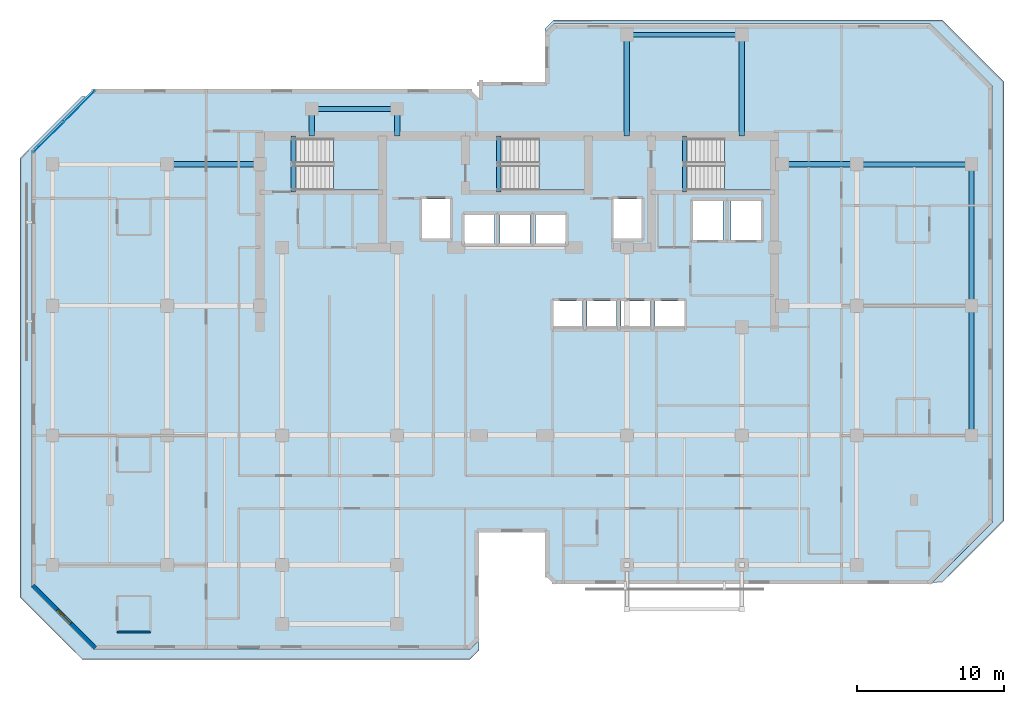
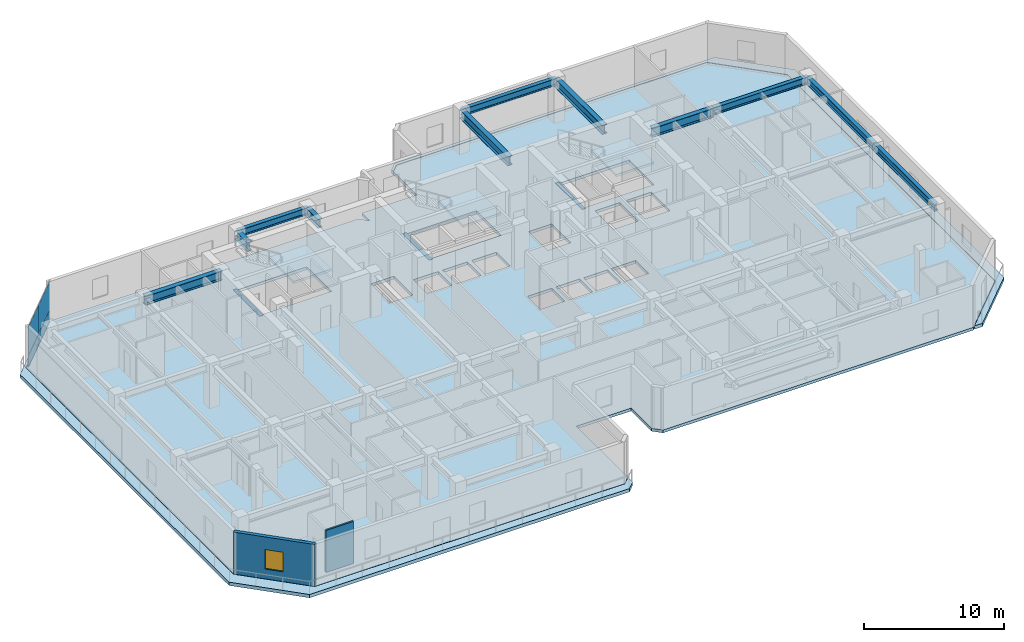
# One storey, part 3 of 10: 14 beams, 6 slabs, 4 plates, 2 walls, 1 window, 1 opening, 4 elements without a shape of their own.
"""IFC4 building model written with IfcOpenShell, lengths in metres."""

import ifcopenshell
import ifcopenshell.guid

model = None  # the IFC model being written
_history = None  # IfcOwnerHistory: only IFC2X3 demands one
_inside = {}  # id of a spatial element -> (the spatial element, [elements in it])
_under = {}  # id of a project, library or spatial element -> (it, [spatial elements below it])
_declared = {}  # id of a project -> (the project, [libraries it declares])
_typed = {}  # id of a type object -> (the type object, [elements of that type])
_made_of = {}  # id of a material, layer set ... -> (it, [elements and type objects made of it])


def new_model(schema):
    """Start an empty IFC model of exactly this schema.

    Asked for "IFC4X3", IfcOpenShell would pick the latest addendum, in which some entities
    have other attributes; the version numbers below select the first issue.
    IFC2X3 requires an IfcOwnerHistory on every rooted entity: one is made here for all.
    """
    global model, _history
    if schema == "IFC4X3":
        model = ifcopenshell.file(schema_version=(4, 3, 0, 0))
    else:
        model = ifcopenshell.file(schema=schema)
    _inside.clear()
    _under.clear()
    _declared.clear()
    _typed.clear()
    _made_of.clear()
    _history = None
    if model.schema == "IFC2X3":
        org = make("IfcOrganization", Name="unknown")
        user = make(
            "IfcPersonAndOrganization",
            ThePerson=make("IfcPerson", FamilyName="unknown"),
            TheOrganization=org,
        )
        app = make(
            "IfcApplication",
            ApplicationDeveloper=org,
            Version="unknown",
            ApplicationFullName="unknown",
            ApplicationIdentifier="unknown",
        )
        _history = make(
            "IfcOwnerHistory",
            OwningUser=user,
            OwningApplication=app,
            ChangeAction="ADDED",
            CreationDate=0,
        )
    return model


def make(cls, **values):
    """One entity of the class cls with the attributes given. An attribute that is None is left unset."""
    return model.create_entity(
        cls, **{name: value for name, value in values.items() if value is not None}
    )


def rooted(cls, **values):
    """An entity with a GlobalId (a new one), such as an element, a storey or a relation."""
    return make(cls, GlobalId=ifcopenshell.guid.new(), OwnerHistory=_history, **values)


def si_unit(unit_type, name, prefix=None):
    """IfcSIUnit, for example si_unit("LENGTHUNIT", "METRE", prefix="MILLI")."""
    return make("IfcSIUnit", UnitType=unit_type, Prefix=prefix, Name=name)


def assignment(units):
    """IfcUnitAssignment: the units of a project."""
    return None if units is None else make("IfcUnitAssignment", Units=units)


def point(xyz):
    """IfcCartesianPoint."""
    return None if xyz is None else make("IfcCartesianPoint", Coordinates=xyz)


def direction(xyz):
    """IfcDirection."""
    return None if xyz is None else make("IfcDirection", DirectionRatios=xyz)


def frame(location, z_axis=None, x_axis=None):
    """IfcAxis2Placement3D, a coordinate frame: its origin and axes. An axis left out is left unset."""
    return make(
        "IfcAxis2Placement3D",
        Location=point(location),
        Axis=direction(z_axis),
        RefDirection=direction(x_axis),
    )


def frame_2d(location, x_axis=None):
    """IfcAxis2Placement2D, a coordinate frame in the plane: its origin and x axis."""
    return make(
        "IfcAxis2Placement2D", Location=point(location), RefDirection=direction(x_axis)
    )


def origin():
    """The frame at (0, 0, 0) with its axes left unset."""
    return frame((0.0, 0.0, 0.0))


def origin_2d():
    """The frame at (0, 0) in the plane with its x axis left unset."""
    return frame_2d((0.0, 0.0))


def place(relative_to, where):
    """IfcLocalPlacement: puts the frame where relative to a parent placement (None: the world)."""
    return make(
        "IfcLocalPlacement", PlacementRelTo=relative_to, RelativePlacement=where
    )


def context(
    kind, dimensions, precision=None, world=None, true_north=None, identifier=None
):
    """IfcGeometricRepresentationContext, for example the 3D "Model" context."""
    return make(
        "IfcGeometricRepresentationContext",
        ContextIdentifier=identifier,
        ContextType=kind,
        CoordinateSpaceDimension=dimensions,
        Precision=precision,
        WorldCoordinateSystem=world,
        TrueNorth=true_north,
    )


def subcontext(parent, identifier, kind, view, scale=None):
    """IfcGeometricRepresentationSubContext, for example "Body" below "Model"."""
    return make(
        "IfcGeometricRepresentationSubContext",
        ContextIdentifier=identifier,
        ContextType=kind,
        ParentContext=parent,
        TargetScale=scale,
        TargetView=view,
    )


def project(units=None, contexts=None):
    """IfcProject with its units and contexts."""
    return rooted(
        "IfcProject",
        Name="project",
        RepresentationContexts=contexts,
        UnitsInContext=assignment(units),
    )


def spatial(cls, under=None, at=None, **own):
    """A site, building, storey or space (cls), placed at a placement, below another one or the project."""
    s = rooted(cls, ObjectPlacement=at, **own)
    if under is not None:
        _under.setdefault(under.id(), (under, []))[1].append(s)
    return s


def polyline(points):
    """IfcPolyline through the points."""
    return make("IfcPolyline", Points=[point(p) for p in points])


def profile(cls, at=None, kind="AREA", **sizes):
    """A parametric profile (cls). Its sizes go by their IFC names, for example OverallWidth=200.0."""
    return make(cls, ProfileType=kind, Position=at, **sizes)


def rectangle(**sizes):
    """IfcRectangleProfileDef."""
    return profile("IfcRectangleProfileDef", **sizes)


def i_section(**sizes):
    """IfcIShapeProfileDef."""
    return profile("IfcIShapeProfileDef", **sizes)


def outline(outer, holes=None, kind="AREA"):
    """IfcArbitraryClosedProfileDef: a profile drawn as a closed curve; with holes, ...WithVoids."""
    if holes is None:
        return make("IfcArbitraryClosedProfileDef", ProfileType=kind, OuterCurve=outer)
    return make(
        "IfcArbitraryProfileDefWithVoids",
        ProfileType=kind,
        OuterCurve=outer,
        InnerCurves=holes,
    )


def extrude(swept, where, along, depth):
    """IfcExtrudedAreaSolid: the profile swept, set in the frame where, extruded along a direction by depth."""
    return make(
        "IfcExtrudedAreaSolid",
        SweptArea=swept,
        Position=where,
        ExtrudedDirection=direction(along),
        Depth=depth,
    )


def shape(context_of_items, identifier, shape_type, items):
    """IfcShapeRepresentation: the items that make up one representation, for example the "Body"."""
    return make(
        "IfcShapeRepresentation",
        ContextOfItems=context_of_items,
        RepresentationIdentifier=identifier,
        RepresentationType=shape_type,
        Items=items,
    )


def material(Name=None, Category=None):
    """IfcMaterial."""
    return make("IfcMaterial", Name=Name, Category=Category)


def layer(
    of_material, thickness, ventilated=None, Name=None, Category=None, Priority=None
):
    """IfcMaterialLayer: one layer of a wall or slab, of a material (None: an air gap)."""
    return make(
        "IfcMaterialLayer",
        Material=of_material,
        LayerThickness=thickness,
        IsVentilated=ventilated,
        Name=Name,
        Category=Category,
        Priority=Priority,
    )


def layer_set(layers, Name=None):
    """IfcMaterialLayerSet."""
    return make("IfcMaterialLayerSet", MaterialLayers=layers, LayerSetName=Name)


def material_profile(
    of_material, cross_section, Name=None, Category=None, Priority=None
):
    """IfcMaterialProfile: a cross section and its material."""
    return make(
        "IfcMaterialProfile",
        Name=Name,
        Material=of_material,
        Profile=cross_section,
        Priority=Priority,
        Category=Category,
    )


def profile_set(profiles, Name=None, composite=None):
    """IfcMaterialProfileSet."""
    return make(
        "IfcMaterialProfileSet",
        Name=Name,
        MaterialProfiles=profiles,
        CompositeProfile=composite,
    )


def made_of(thing, what):
    """Note that an element or type object is made of a material, layer set ...; save() writes the relation."""
    if what is not None:
        _made_of.setdefault(what.id(), (what, []))[1].append(thing)
    return thing


def type_object(cls, material=None, **own):
    """A type object (cls), such as IfcWallType, which elements share."""
    return made_of(rooted(cls, **own), material)


def element(
    cls,
    number,
    at=None,
    inside=None,
    cuts=None,
    type_object=None,
    material=None,
    context=None,
    identifier="Body",
    shape_type=None,
    held_by="IfcProductDefinitionShape",
    body=None,
    shapes=None,
    **own,
):
    """One element of the class cls, such as IfcWall. Its Tag is "e" and its number.

    at: its placement. inside: the storey or other place that contains it. cuts: it is an
    opening in that element (IfcRelVoidsElement). A single representation is given by context,
    identifier, shape_type and body (its items); several are given by shapes. held_by: the class
    of the entity that holds the representations. save() writes the other relations.
    """
    e = rooted(cls, Tag="e%d" % number, ObjectPlacement=at, **own)
    if body is not None:
        shapes = [shape(context, identifier, shape_type, body)]
    if shapes is not None:
        e.Representation = make(held_by, Representations=shapes)
    if inside is not None:
        _inside.setdefault(inside.id(), (inside, []))[1].append(e)
    if cuts is not None:
        rooted(
            "IfcRelVoidsElement", RelatingBuildingElement=cuts, RelatedOpeningElement=e
        )
    if type_object is not None:
        _typed.setdefault(type_object.id(), (type_object, []))[1].append(e)
    return made_of(e, material)


def fill(opening, filler):
    """IfcRelFillsElement: the door or window that sits in an opening."""
    return rooted(
        "IfcRelFillsElement",
        RelatingOpeningElement=opening,
        RelatedBuildingElement=filler,
    )


def aggregate(whole, parts):
    """IfcRelAggregates: a whole, such as a stair, and the parts it consists of."""
    return rooted("IfcRelAggregates", RelatingObject=whole, RelatedObjects=parts)


def save(model, path):
    """Write the relations noted so far, then the file.

    IfcRelAggregates (storeys below a building ...), IfcRelContainedInSpatialStructure (elements
    in a storey), IfcRelDefinesByType, IfcRelAssociatesMaterial and IfcRelDeclares: one each for
    every whole, place, type object, material and project.
    """
    for whole, parts in _under.values():
        aggregate(whole, parts)
    for where, things in _inside.values():
        rooted(
            "IfcRelContainedInSpatialStructure",
            RelatedElements=things,
            RelatingStructure=where,
        )
    for kind, things in _typed.values():
        rooted("IfcRelDefinesByType", RelatedObjects=things, RelatingType=kind)
    for what, things in _made_of.values():
        rooted("IfcRelAssociatesMaterial", RelatedObjects=things, RelatingMaterial=what)
    for by, libraries in _declared.values():
        rooted("IfcRelDeclares", RelatingContext=by, RelatedDefinitions=libraries)
    model.write(path)


model = new_model("IFC4")

# Units and contexts
model_context = context("Model", 3, precision=1e-05, world=origin(), true_north=direction((0.0, 1.0)))
body_context = subcontext(model_context, "Body", "Model", "MODEL_VIEW")
ifc_project = project(units=[si_unit("LENGTHUNIT", "METRE"), si_unit("AREAUNIT", "SQUARE_METRE"), si_unit("VOLUMEUNIT", "CUBIC_METRE"), si_unit("PLANEANGLEUNIT", "RADIAN"), si_unit("MASSUNIT", "GRAM", prefix="KILO")], contexts=[model_context])

# Site, building, storey
site_placement = place(None, origin())
site = spatial("IfcSite", under=ifc_project, at=site_placement, CompositionType="ELEMENT")
building_placement = place(site_placement, origin())
building = spatial("IfcBuilding", under=site, at=building_placement, Name="Kestravale Grand Hotel", CompositionType="ELEMENT")
storey_placement = place(building_placement, frame((0.0, 0.0, 189.0)))
storey = spatial("IfcBuildingStorey", under=building, at=storey_placement, Name="L47", CompositionType="ELEMENT", Elevation=189.0)

# Beams
ifc_material_1 = material(Name="Concrete f'c 45 MPa", Category="concrete")
ifc_material_profile_1 = material_profile(ifc_material_1, rectangle(XDim=0.300048828125, YDim=0.39990234375, at=origin_2d()))
ifc_profile_set_1 = profile_set([ifc_material_profile_1], Name="Concrete f'c 45 MPa")
beam_type_1 = type_object("IfcBeamType", Name="B-FLR-LNT400", PredefinedType="LINTEL", material=ifc_profile_set_1)
for number, where, z_axis, x_axis, name in (
    (1, (24.159912109375, 36.52001953125, -0.199951171875), (0.0, 1.0, 0.0), (-1.0, 0.0, 0.0), "L47 ST1 flight bottom header beam"),
    (2, (38.110107421875, 36.52001953125, -0.199951171875), (0.0, 1.0, 0.0), (-1.0, 0.0, 0.0), "L47 ST2 flight bottom header beam"),
    (3, (50.7099609375, 36.52001953125, -0.199951171875), (0.0, 1.0, 0.0), (-1.0, 0.0, 0.0), "L47 ST3 flight bottom header beam"),
):
    element("IfcBeam", number, at=place(storey_placement, frame(where, z_axis=z_axis, x_axis=x_axis)), inside=storey, type_object=beam_type_1, Name=name, PredefinedType="LINTEL", context=body_context, shape_type="SweptSolid", body=[
        extrude(rectangle(XDim=0.300048828125, YDim=0.39990234375, at=origin_2d()), origin(), (0.0, 0.0, 1.0), 3.800048828125),
    ])
ifc_material_2 = material(Name="Steel ASTM A992 Grade 50", Category="steel")
ifc_material_profile_2 = material_profile(ifc_material_2, i_section(OverallWidth=0.324951171875, OverallDepth=0.612060546875, WebThickness=0.0126953125, FlangeThickness=0.01904296875, FilletRadius=0.018798828125, at=origin_2d()))
ifc_profile_set_2 = profile_set([ifc_material_profile_2], Name="Steel ASTM A992 Grade 50")
beam_type_2 = type_object("IfcBeamType", Name="B-FLR-W24A", PredefinedType="SPANDREL", material=ifc_profile_set_2)
for number, where, z_axis, x_axis, name in (
    (4, (62.39990234375, 38.39990234375, 3.343994140625), (1.0, 0.0, 0.0), (0.0, 1.0, 0.0), "L47 spandrel F:10-11"),
    (5, (46.800048828125, 47.199951171875, 3.343994140625), (1.0, 0.0, 0.0), (0.0, 1.0, 0.0), "L47 spandrel G:8-9"),
):
    element("IfcBeam", number, at=place(storey_placement, frame(where, z_axis=z_axis, x_axis=x_axis)), inside=storey, type_object=beam_type_2, Name=name, PredefinedType="SPANDREL", context=body_context, shape_type="SweptSolid", body=[
        extrude(i_section(OverallWidth=0.324951171875, OverallDepth=0.612060546875, WebThickness=0.0126953125, FlangeThickness=0.01904296875, FilletRadius=0.018798828125, at=origin_2d()), origin(), (0.0, 0.0, 1.0), 7.800048828125),
    ])
beam_1_placement = place(storey_placement, frame((25.39990234375, 42.14990234375, 3.343994140625), z_axis=(1.0, 0.0, 0.0), x_axis=(0.0, 1.0, 0.0)))
element("IfcBeam", 6, at=beam_1_placement, inside=storey, type_object=beam_type_2, Name="L47 perimeter tie spandrel FN:4-5", PredefinedType="SPANDREL", context=body_context, shape_type="SweptSolid", body=[
    extrude(i_section(OverallWidth=0.324951171875, OverallDepth=0.612060546875, WebThickness=0.0126953125, FlangeThickness=0.01904296875, FilletRadius=0.018798828125, at=origin_2d()), origin(), (0.0, 0.0, 1.0), 5.800048828125),
])
beam_2_placement = place(storey_placement, frame((70.199951171875, 20.0, 3.343994140625), z_axis=(0.0, 1.0, 0.0), x_axis=(-1.0, 0.0, 0.0)))
element("IfcBeam", 7, at=beam_2_placement, inside=storey, type_object=beam_type_2, Name="L47 spandrel 11:D-E", PredefinedType="SPANDREL", context=body_context, shape_type="SweptSolid", body=[
    extrude(i_section(OverallWidth=0.324951171875, OverallDepth=0.612060546875, WebThickness=0.0126953125, FlangeThickness=0.01904296875, FilletRadius=0.018798828125, at=origin_2d()), origin(), (0.0, 0.0, 1.0), 8.800048828125),
])
beam_3_placement = place(storey_placement, frame((70.199951171875, 28.800048828125, 3.343994140625), z_axis=(0.0, 1.0, 0.0), x_axis=(-1.0, 0.0, 0.0)))
element("IfcBeam", 8, at=beam_3_placement, inside=storey, type_object=beam_type_2, Name="L47 spandrel 11:E-F", PredefinedType="SPANDREL", context=body_context, shape_type="SweptSolid", body=[
    extrude(i_section(OverallWidth=0.324951171875, OverallDepth=0.612060546875, WebThickness=0.0126953125, FlangeThickness=0.01904296875, FilletRadius=0.018798828125, at=origin_2d()), origin(), (0.0, 0.0, 1.0), 9.599853515625),
])
ifc_material_3 = material(Name="Steel ASTM A992 Grade 50", Category="steel")
ifc_material_profile_3 = material_profile(ifc_material_3, i_section(OverallWidth=0.381103515625, OverallDepth=0.77197265625, WebThickness=0.0166015625, FlangeThickness=0.027099609375, FilletRadius=0.023681640625, at=origin_2d()))
ifc_profile_set_3 = profile_set([ifc_material_profile_3], Name="Steel ASTM A992 Grade 50")
beam_type_3 = type_object("IfcBeamType", Name="B-GRD-W30", PredefinedType="BEAM", material=ifc_profile_set_3)
beam_4_placement = place(storey_placement, frame((15.60009765625, 38.39990234375, 3.263916015625), z_axis=(1.0, 0.0, 0.0), x_axis=(0.0, 1.0, 0.0)))
element("IfcBeam", 9, at=beam_4_placement, inside=storey, type_object=beam_type_3, Name="L47 girder F:3-CW", PredefinedType="BEAM", context=body_context, shape_type="SweptSolid", body=[
    extrude(i_section(OverallWidth=0.381103515625, OverallDepth=0.77197265625, WebThickness=0.0166015625, FlangeThickness=0.027099609375, FilletRadius=0.023681640625, at=origin_2d()), origin(), (0.0, 0.0, 1.0), 6.2998046875),
])
beam_5_placement = place(storey_placement, frame((57.35009765625, 38.39990234375, 3.263916015625), z_axis=(1.0, 0.0, 0.0), x_axis=(0.0, 1.0, 0.0)))
element("IfcBeam", 10, at=beam_5_placement, inside=storey, type_object=beam_type_3, Name="L47 girder F:CE-10", PredefinedType="BEAM", context=body_context, shape_type="SweptSolid", body=[
    extrude(i_section(OverallWidth=0.381103515625, OverallDepth=0.77197265625, WebThickness=0.0166015625, FlangeThickness=0.027099609375, FilletRadius=0.023681640625, at=origin_2d()), origin(), (0.0, 0.0, 1.0), 5.0498046875),
])
for number, where, z_axis, x_axis, name in (
    (11, (25.39990234375, 40.320068359375, 3.263916015625), (0.0, 1.0, 0.0), (-1.0, 0.0, 0.0), "L47 north wing tie girder 4:CN-FN"),
    (12, (31.199951171875, 40.320068359375, 3.263916015625), (0.0, 1.0, 0.0), (-1.0, 0.0, 0.0), "L47 north wing tie girder 5:CN-FN"),
):
    element("IfcBeam", number, at=place(storey_placement, frame(where, z_axis=z_axis, x_axis=x_axis)), inside=storey, type_object=beam_type_3, Name=name, PredefinedType="BEAM", context=body_context, shape_type="SweptSolid", body=[
        extrude(i_section(OverallWidth=0.381103515625, OverallDepth=0.77197265625, WebThickness=0.0166015625, FlangeThickness=0.027099609375, FilletRadius=0.023681640625, at=origin_2d()), origin(), (0.0, 0.0, 1.0), 1.829833984375),
    ])
for number, where, z_axis, x_axis, name in (
    (13, (46.800048828125, 40.320068359375, 3.263916015625), (0.0, 1.0, 0.0), (-1.0, 0.0, 0.0), "L47 north wing tie girder 8:CN-G"),
    (14, (54.60009765625, 40.320068359375, 3.263916015625), (0.0, 1.0, 0.0), (-1.0, 0.0, 0.0), "L47 north wing tie girder 9:CN-G"),
):
    element("IfcBeam", number, at=place(storey_placement, frame(where, z_axis=z_axis, x_axis=x_axis)), inside=storey, type_object=beam_type_3, Name=name, PredefinedType="BEAM", context=body_context, shape_type="SweptSolid", body=[
        extrude(i_section(OverallWidth=0.381103515625, OverallDepth=0.77197265625, WebThickness=0.0166015625, FlangeThickness=0.027099609375, FilletRadius=0.023681640625, at=origin_2d()), origin(), (0.0, 0.0, 1.0), 6.8798828125),
    ])

# Curtain wall, plates
ifc_material_4 = material(Name="Thermally broken champagne-bronze aluminium and low-E glazing", Category="aluminium")
ifc_layer_1 = layer(ifc_material_4, 0.179931640625)
ifc_layer_set_1 = layer_set([ifc_layer_1], Name="CW-Z3")
curtain_wall_type = type_object("IfcCurtainWallType", Name="CW-Z3", PredefinedType="NOTDEFINED", material=ifc_layer_set_1)
curtain_wall_placement = place(storey_placement, origin())
curtain_wall = element("IfcCurtainWall", 15, at=curtain_wall_placement, inside=storey, type_object=curtain_wall_type, Name="L47 unitised curtain wall 18", PredefinedType="NOTDEFINED")
ifc_material_5 = material(Name="Insulated clear low-E double glazing IGU", Category="glass")
ifc_layer_2 = layer(ifc_material_5, 0.031982421875)
ifc_layer_set_2 = layer_set([ifc_layer_2], Name="CW-PNL-32")
plate_type = type_object("IfcPlateType", Name="CW-PNL-32", PredefinedType="CURTAIN_PANEL", material=ifc_layer_set_2)
plate_1_placement = place(storey_placement, frame((9.64453125, 42.3466796875, 0.06494140625), z_axis=(0.0, 0.0, 1.0), x_axis=(-0.707106781187, -0.707106781187, 0.0)))
plate_1 = element("IfcPlate", 16, at=plate_1_placement, type_object=plate_type, Name="CW-Z3 panel 1.1", PredefinedType="CURTAIN_PANEL", context=body_context, shape_type="SweptSolid", body=[
    extrude(rectangle(XDim=2.892333984375, YDim=0.031982421875, at=origin_2d()), origin(), (0.0, 0.0, 1.0), 0.952392578125),
])
plate_2_placement = place(storey_placement, frame((9.64453125, 42.3466796875, 1.08251953125), z_axis=(0.0, 0.0, 1.0), x_axis=(-0.707106781187, -0.707106781187, 0.0)))
plate_2 = element("IfcPlate", 17, at=plate_2_placement, type_object=plate_type, Name="CW-Z3 panel 1.2", PredefinedType="CURTAIN_PANEL", context=body_context, shape_type="SweptSolid", body=[
    extrude(rectangle(XDim=2.892333984375, YDim=0.031982421875, at=origin_2d()), origin(), (0.0, 0.0, 1.0), 2.50244140625),
])
plate_3_placement = place(storey_placement, frame((7.553466796875, 40.25537109375, 0.06494140625), z_axis=(0.0, 0.0, 1.0), x_axis=(-0.707106781187, -0.707106781187, 0.0)))
plate_3 = element("IfcPlate", 18, at=plate_3_placement, type_object=plate_type, Name="CW-Z3 panel 2.1", PredefinedType="CURTAIN_PANEL", context=body_context, shape_type="SweptSolid", body=[
    extrude(rectangle(XDim=2.892333984375, YDim=0.031982421875, at=origin_2d()), origin(), (0.0, 0.0, 1.0), 0.952392578125),
])
plate_4_placement = place(storey_placement, frame((7.553466796875, 40.25537109375, 1.08251953125), z_axis=(0.0, 0.0, 1.0), x_axis=(-0.707106781187, -0.707106781187, 0.0)))
plate_4 = element("IfcPlate", 19, at=plate_4_placement, type_object=plate_type, Name="CW-Z3 panel 2.2", PredefinedType="CURTAIN_PANEL", context=body_context, shape_type="SweptSolid", body=[
    extrude(rectangle(XDim=2.892333984375, YDim=0.031982421875, at=origin_2d()), origin(), (0.0, 0.0, 1.0), 2.50244140625),
])
aggregate(curtain_wall, [plate_1, plate_2, plate_3, plate_4])

# Slabs
ifc_material_6 = material(Name="Concrete f'c 45 MPa", Category="concrete")
ifc_layer_3 = layer(ifc_material_6, 0.2900390625)
ifc_layer_set_3 = layer_set([ifc_layer_3], Name="ES-TERR-290")
slab_type_1 = type_object("IfcSlabType", Name="ES-TERR-290", PredefinedType="ROOF", material=ifc_layer_set_3)
slab_1_placement = place(storey_placement, frame((0.0, 0.0, -0.2900390625)))
element("IfcSlab", 20, at=slab_1_placement, inside=storey, type_object=slab_type_1, Name="L47 setback terrace 1", PredefinedType="ROOF", context=body_context, shape_type="SweptSolid", body=[
    extrude(outline(polyline([(36.75, 5.39990234375), (36.14990234375, 4.800048828125), (9.800048828125, 4.800048828125), (5.60009765625, 9.0), (5.60009765625, 38.800048828125), (9.800048828125, 43.0), (10.07177734375, 43.0), (6.385986328125, 39.314208984375), (6.384521484375, 39.312744140625), (6.38330078125, 39.31103515625), (6.38232421875, 39.309326171875), (6.381591796875, 39.3076171875), (6.380859375, 39.305908203125), (6.38037109375, 39.303955078125), (6.380126953125, 39.302001953125), (6.3798828125, 39.300048828125), (6.3798828125, 9.699951171875), (6.380126953125, 9.697998046875), (6.38037109375, 9.696044921875), (6.380859375, 9.694091796875), (6.381591796875, 9.6923828125), (6.38232421875, 9.690673828125), (6.38330078125, 9.68896484375), (6.384521484375, 9.687255859375), (6.385986328125, 9.685791015625), (10.5859375, 5.48583984375), (10.58740234375, 5.484619140625), (10.5888671875, 5.4833984375), (10.590576171875, 5.482421875), (10.59228515625, 5.4814453125), (10.59423828125, 5.48095703125), (10.59619140625, 5.48046875), (10.597900390625, 5.47998046875), (10.60009765625, 5.47998046875), (36.14990234375, 5.47998046875), (36.152099609375, 5.47998046875), (36.15380859375, 5.48046875), (36.15576171875, 5.48095703125), (36.15771484375, 5.4814453125), (36.159423828125, 5.482421875), (36.1611328125, 5.4833984375), (36.16259765625, 5.484619140625), (36.1640625, 5.48583984375), (36.75, 6.07177734375), (36.75, 5.39990234375)])), origin(), (0.0, 0.0, 1.0), 0.2900390625),
])
slab_2_placement = place(storey_placement, frame((0.0, 0.0, -0.2900390625)))
element("IfcSlab", 21, at=slab_2_placement, inside=storey, type_object=slab_type_1, Name="L47 setback terrace 2", PredefinedType="ROOF", context=body_context, shape_type="SweptSolid", body=[
    extrude(outline(polyline([(41.25, 47.60009765625), (41.85009765625, 48.199951171875), (68.199951171875, 48.199951171875), (72.39990234375, 44.0), (72.39990234375, 14.199951171875), (68.199951171875, 10.0), (67.5283203125, 10.0), (71.614013671875, 14.0859375), (71.615478515625, 14.08740234375), (71.61669921875, 14.0888671875), (71.61767578125, 14.090576171875), (71.618408203125, 14.09228515625), (71.619140625, 14.09423828125), (71.61962890625, 14.09619140625), (71.619873046875, 14.097900390625), (71.6201171875, 14.10009765625), (71.6201171875, 43.699951171875), (71.619873046875, 43.701904296875), (71.61962890625, 43.703857421875), (71.619140625, 43.705810546875), (71.618408203125, 43.707763671875), (71.61767578125, 43.70947265625), (71.61669921875, 43.711181640625), (71.615478515625, 43.712646484375), (71.614013671875, 43.714111328125), (67.4140625, 47.9140625), (67.41259765625, 47.91552734375), (67.4111328125, 47.91650390625), (67.409423828125, 47.91748046875), (67.40771484375, 47.91845703125), (67.40576171875, 47.919189453125), (67.40380859375, 47.919677734375), (67.402099609375, 47.919921875), (67.39990234375, 47.919921875), (41.85009765625, 47.919921875), (41.847900390625, 47.919921875), (41.84619140625, 47.919677734375), (41.84423828125, 47.919189453125), (41.84228515625, 47.91845703125), (41.840576171875, 47.91748046875), (41.8388671875, 47.91650390625), (41.83740234375, 47.91552734375), (41.8359375, 47.9140625), (41.25, 47.328369140625), (41.25, 47.60009765625)])), origin(), (0.0, 0.0, 1.0), 0.2900390625),
])

# Stair, slab
ifc_material_7 = material(Name="Concrete f'c 45 MPa", Category="concrete")
stair_type = type_object("IfcStairType", Name="ST-CORE-390", PredefinedType="HALF_TURN_STAIR", material=ifc_material_7)
stair_1_placement = place(storey_placement, origin())
stair_1 = element("IfcStair", 22, at=stair_1_placement, inside=storey, type_object=stair_type, Name="L47 ST-1", PredefinedType="HALF_TURN_STAIR")
ifc_material_8 = material(Name="Concrete f'c 45 MPa", Category="concrete")
ifc_layer_4 = layer(ifc_material_8, 0.199951171875)
ifc_layer_set_4 = layer_set([ifc_layer_4], Name="SLB-ST-LND200")
slab_type_2 = type_object("IfcSlabType", Name="SLB-ST-LND200", PredefinedType="LANDING", material=ifc_layer_set_4)
slab_3_placement = place(storey_placement, frame((0.0, 0.0, 1.75)))
slab_3 = element("IfcSlab", 23, at=slab_3_placement, type_object=slab_type_2, Name="ST-1 landing 1", PredefinedType="LANDING", context=body_context, shape_type="SweptSolid", body=[
    extrude(outline(polyline([(26.8798828125, 36.64990234375), (30.0, 36.64990234375), (30.0, 40.159912109375), (26.8798828125, 40.159912109375), (26.8798828125, 36.64990234375)])), origin(), (0.0, 0.0, 1.0), 0.199951171875),
])
aggregate(stair_1, [slab_3])

stair_2_placement = place(storey_placement, origin())
stair_2 = element("IfcStair", 24, at=stair_2_placement, inside=storey, type_object=stair_type, Name="L47 ST-2", PredefinedType="HALF_TURN_STAIR")
slab_4_placement = place(storey_placement, frame((0.0, 0.0, 1.75)))
slab_4 = element("IfcSlab", 25, at=slab_4_placement, type_object=slab_type_2, Name="ST-2 landing 1", PredefinedType="LANDING", context=body_context, shape_type="SweptSolid", body=[
    extrude(outline(polyline([(40.830078125, 36.64990234375), (43.949951171875, 36.64990234375), (43.949951171875, 40.159912109375), (40.830078125, 40.159912109375), (40.830078125, 36.64990234375)])), origin(), (0.0, 0.0, 1.0), 0.199951171875),
])
aggregate(stair_2, [slab_4])

stair_3_placement = place(storey_placement, origin())
stair_3 = element("IfcStair", 26, at=stair_3_placement, inside=storey, type_object=stair_type, Name="L47 ST-3", PredefinedType="HALF_TURN_STAIR")
slab_5_placement = place(storey_placement, frame((0.0, 0.0, 1.75)))
slab_5 = element("IfcSlab", 27, at=slab_5_placement, type_object=slab_type_2, Name="ST-3 landing 1", PredefinedType="LANDING", context=body_context, shape_type="SweptSolid", body=[
    extrude(outline(polyline([(53.429931640625, 36.64990234375), (56.550048828125, 36.64990234375), (56.550048828125, 40.159912109375), (53.429931640625, 40.159912109375), (53.429931640625, 36.64990234375)])), origin(), (0.0, 0.0, 1.0), 0.199951171875),
])
aggregate(stair_3, [slab_5])

# Slab
ifc_material_9 = material(Name="Concrete f'c 45 MPa", Category="concrete")
ifc_layer_5 = layer(ifc_material_9, 0.25)
ifc_layer_set_5 = layer_set([ifc_layer_5], Name="SS-FLR-250")
slab_type_3 = type_object("IfcSlabType", Name="SS-FLR-250", PredefinedType="FLOOR", material=ifc_layer_set_5)
slab_6_placement = place(storey_placement, frame((0.0, 0.0, -0.25)))
element("IfcSlab", 28, at=slab_6_placement, inside=storey, type_object=slab_type_3, Name="L47 structural floor slab", PredefinedType="FLOOR", context=body_context, shape_type="SweptSolid", body=[
    extrude(outline(polyline([(10.60009765625, 5.5), (36.14990234375, 5.5), (36.75, 6.10009765625), (36.75, 13.39990234375), (41.25, 13.39990234375), (41.25, 10.5), (41.85009765625, 9.89990234375), (67.39990234375, 9.89990234375), (71.60009765625, 14.10009765625), (71.60009765625, 43.699951171875), (67.39990234375, 47.89990234375), (41.85009765625, 47.89990234375), (41.25, 47.300048828125), (41.25, 44.0), (36.75, 44.0), (36.75, 42.89990234375), (36.14990234375, 43.5), (10.60009765625, 43.5), (6.39990234375, 39.300048828125), (6.39990234375, 9.699951171875), (10.60009765625, 5.5)]), holes=[polyline([(24.080078125, 36.64990234375), (30.0, 36.64990234375), (30.0, 40.159912109375), (24.080078125, 40.159912109375), (24.080078125, 36.64990234375)]), polyline([(38.030029296875, 36.64990234375), (43.949951171875, 36.64990234375), (43.949951171875, 40.159912109375), (38.030029296875, 40.159912109375), (38.030029296875, 36.64990234375)]), polyline([(50.6298828125, 36.64990234375), (56.550048828125, 36.64990234375), (56.550048828125, 40.159912109375), (50.6298828125, 40.159912109375), (50.6298828125, 36.64990234375)]), polyline([(41.804931640625, 27.280029296875), (43.794921875, 27.280029296875), (43.794921875, 29.1201171875), (41.804931640625, 29.1201171875), (41.804931640625, 27.280029296875)]), polyline([(44.10498046875, 27.280029296875), (46.094970703125, 27.280029296875), (46.094970703125, 29.1201171875), (44.10498046875, 29.1201171875), (44.10498046875, 27.280029296875)]), polyline([(46.405029296875, 27.280029296875), (48.39501953125, 27.280029296875), (48.39501953125, 29.1201171875), (46.405029296875, 29.1201171875), (46.405029296875, 27.280029296875)]), polyline([(48.705078125, 27.280029296875), (50.695068359375, 27.280029296875), (50.695068359375, 29.1201171875), (48.705078125, 29.1201171875), (48.705078125, 27.280029296875)]), polyline([(35.780029296875, 33.030029296875), (37.820068359375, 33.030029296875), (37.820068359375, 34.969970703125), (35.780029296875, 34.969970703125), (35.780029296875, 33.030029296875)]), polyline([(38.179931640625, 33.030029296875), (40.219970703125, 33.030029296875), (40.219970703125, 34.969970703125), (38.179931640625, 34.969970703125), (38.179931640625, 33.030029296875)]), polyline([(40.580078125, 33.030029296875), (42.6201171875, 33.030029296875), (42.6201171875, 34.969970703125), (40.580078125, 34.969970703125), (40.580078125, 33.030029296875)]), polyline([(32.905029296875, 33.35498046875), (34.794921875, 33.35498046875), (34.794921875, 36.044921875), (32.905029296875, 36.044921875), (32.905029296875, 33.35498046875)]), polyline([(45.905029296875, 33.35498046875), (47.794921875, 33.35498046875), (47.794921875, 36.044921875), (45.905029296875, 36.044921875), (45.905029296875, 33.35498046875)]), polyline([(51.280029296875, 33.280029296875), (53.320068359375, 33.280029296875), (53.320068359375, 35.919921875), (51.280029296875, 35.919921875), (51.280029296875, 33.280029296875)]), polyline([(53.8798828125, 33.280029296875), (55.919921875, 33.280029296875), (55.919921875, 35.919921875), (53.8798828125, 35.919921875), (53.8798828125, 33.280029296875)])]), origin(), (0.0, 0.0, 1.0), 0.25),
])

# Wall, opening, window
ifc_material_10 = material(Name="Precast concrete f'c 45 MPa", Category="concrete")
ifc_layer_6 = layer(ifc_material_10, 0.280029296875)
ifc_layer_set_6 = layer_set([ifc_layer_6], Name="EW-PREC-280")
wall_type_1 = type_object("IfcWallType", Name="EW-PREC-280", PredefinedType="SOLIDWALL", material=ifc_layer_set_6)
wall_1_placement = place(storey_placement, frame((6.470703125, 9.827392578125, 0.0), z_axis=(0.0, 0.0, 1.0), x_axis=(0.707106781187, -0.707106781187, 0.0)))
wall_1 = element("IfcWall", 29, at=wall_1_placement, inside=storey, type_object=wall_type_1, Name="L47 fluted precast facade wall 20", PredefinedType="SOLIDWALL", context=body_context, shape_type="SweptSolid", body=[
    extrude(rectangle(XDim=6.019775390625, YDim=0.280029296875, at=frame_2d((3.009765625, 0.0))), origin(), (0.0, 0.0, 1.0), 3.64990234375),
])
opening_placement = place(wall_1_placement, frame((2.35986328125, 0.0, 0.85009765625)))
opening = element("IfcOpeningElement", 30, at=opening_placement, cuts=wall_1, Name="Opening W-GUEST-1300", PredefinedType="OPENING", context=body_context, shape_type="SweptSolid", body=[
    extrude(rectangle(XDim=1.300048828125, YDim=1.699951171875, at=frame_2d((0.64990234375, 0.85009765625))), frame((0.0, 0.14990234375, 0.0), z_axis=(0.0, -1.0, 0.0), x_axis=(1.0, 0.0, 0.0)), (0.0, 0.0, 1.0), 0.300048828125),
])
ifc_material_11 = material(Name="Insulated low-E double glazing in aluminium frame", Category="aluminium")
window_type = type_object("IfcWindowType", Name="W-GUEST-1300", PartitioningType="SINGLE_PANEL", PredefinedType="WINDOW", material=ifc_material_11)
window_placement = place(opening_placement, origin())
window = element("IfcWindow", 31, at=window_placement, inside=storey, type_object=window_type, Name="L47 exterior window 20.1", OverallHeight=1.699951171875, OverallWidth=1.300048828125, PartitioningType="SINGLE_PANEL", PredefinedType="WINDOW", context=body_context, shape_type="SweptSolid", body=[
    extrude(rectangle(XDim=1.300048828125, YDim=1.699951171875, at=frame_2d((0.64990234375, 0.85009765625))), frame((0.0, 0.030029296875, 0.0), z_axis=(0.0, -1.0, 0.0), x_axis=(1.0, 0.0, 0.0)), (0.0, 0.0, 1.0), 0.06005859375),
])
fill(opening, window)

# Wall
ifc_material_12 = material(Name="Moisture-resistant tile-backer plumbing chase wall", Category="other")
ifc_layer_7 = layer(ifc_material_12, 0.139892578125)
ifc_layer_set_7 = layer_set([ifc_layer_7], Name="IW-PLB-140")
wall_type_2 = type_object("IfcWallType", Name="IW-PLB-140", PredefinedType="PLUMBINGWALL", material=ifc_layer_set_7)
wall_2_placement = place(storey_placement, frame((12.199951171875, 6.64990234375, 0.0), z_axis=(0.0, 0.0, 1.0), x_axis=(1.0, 0.0, 0.0)))
element("IfcWall", 32, at=wall_2_placement, inside=storey, type_object=wall_type_2, Name="W-L47-U02-BS", PredefinedType="PLUMBINGWALL", context=body_context, shape_type="SweptSolid", body=[
    extrude(rectangle(XDim=2.25, YDim=0.139892578125, at=frame_2d((1.125, 0.0))), origin(), (0.0, 0.0, 1.0), 3.64990234375),
])

save(model, "model.ifc")
